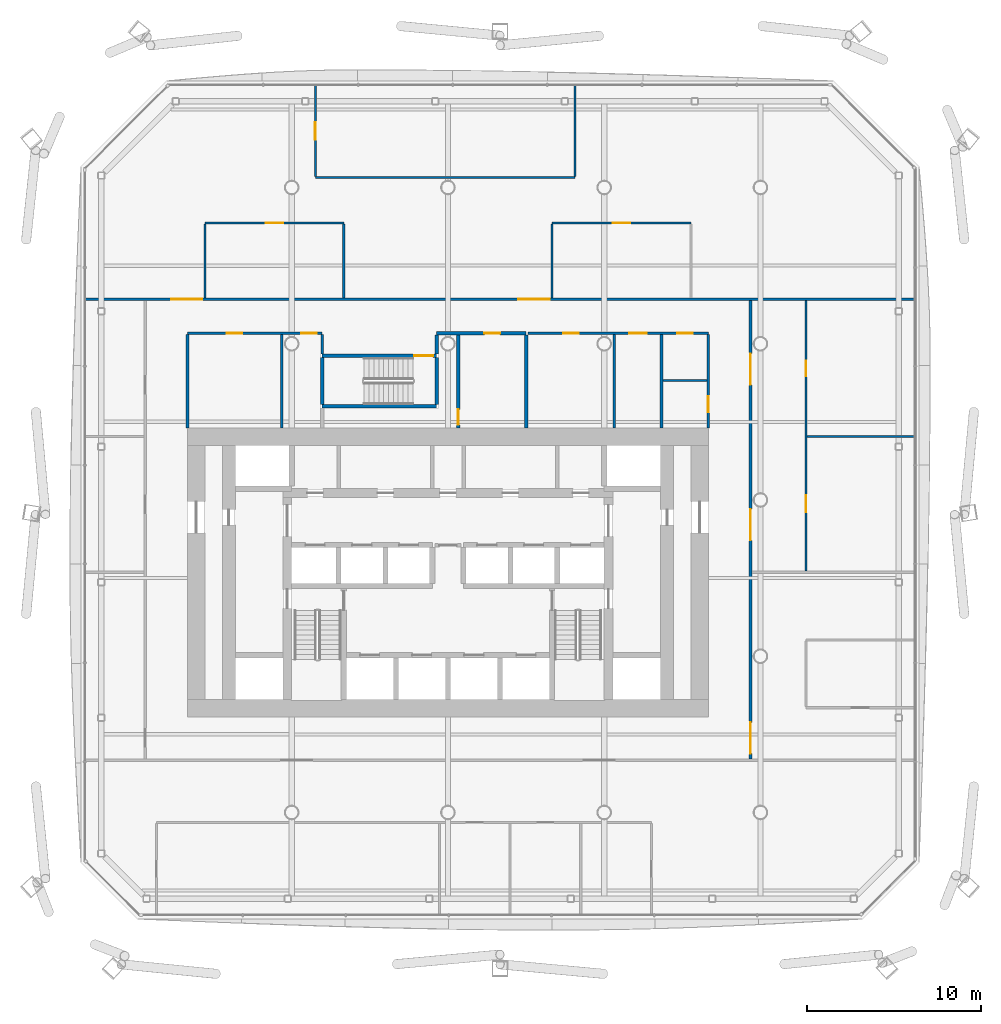
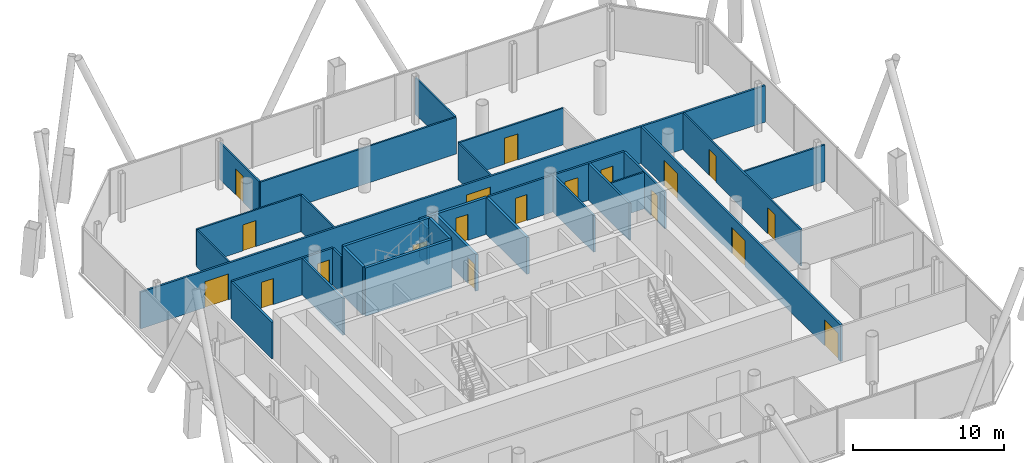
# One storey, part 16 of 22: 29 walls, 19 doors, 19 openings.
"""IFC4 building model written with IfcOpenShell, lengths in metres."""

from ifc_helpers import new_model, si_unit, direction, frame, frame_2d, origin, place, context, subcontext, project, spatial, rectangle, extrude, material, layer, layer_set, type_object, element, fill, save


model = new_model("IFC4")

# Units and contexts
model_context = context("Model", 3, precision=1e-05, world=origin(), true_north=direction((0.0, 1.0)))
body_context = subcontext(model_context, "Body", "Model", "MODEL_VIEW")
ifc_project = project(units=[si_unit("LENGTHUNIT", "METRE"), si_unit("AREAUNIT", "SQUARE_METRE"), si_unit("VOLUMEUNIT", "CUBIC_METRE"), si_unit("PLANEANGLEUNIT", "RADIAN"), si_unit("MASSUNIT", "GRAM", prefix="KILO")], contexts=[model_context])

# Site, building, storey
site_placement = place(None, origin())
site = spatial("IfcSite", under=ifc_project, at=site_placement, CompositionType="ELEMENT")
building_placement = place(site_placement, origin())
building = spatial("IfcBuilding", under=site, at=building_placement, Name="Tskaro Facet Tower", CompositionType="ELEMENT")
storey_placement = place(building_placement, frame((0.0, 0.0, 97.199951171875)))
storey = spatial("IfcBuildingStorey", under=building, at=storey_placement, Name="L23", CompositionType="ELEMENT", Elevation=97.199951171875)

# Walls
ifc_material_1 = material(Name="Gypsum board on steel studs", Category="steel")
ifc_layer_1 = layer(ifc_material_1, 0.125, Name="Gypsum board on steel studs")
ifc_layer_set_1 = layer_set([ifc_layer_1], Name="Gypsum board on steel studs")
wall_type_1 = type_object("IfcWallType", Name="PART", PredefinedType="PARTITIONING", material=ifc_layer_set_1)
wall_1_placement = place(storey_placement, frame((20.6875, 3.64794921875, 0.0), z_axis=(0.0, 0.0, 1.0), x_axis=(1.0, 0.0, 0.0)))
element("IfcWall", 1, at=wall_1_placement, inside=storey, type_object=wall_type_1, Name="Partition W018", PredefinedType="PARTITIONING", context=body_context, shape_type="SweptSolid", body=[
    extrude(rectangle(XDim=6.177490234375, YDim=0.125, at=frame_2d((3.0888671875, 0.0))), origin(), (0.0, 0.0, 1.0), 2.9599609375),
])
wall_2_placement = place(storey_placement, frame((12.375, 6.8779296875, 0.0), z_axis=(0.0, 0.0, 1.0), x_axis=(1.0, 0.0, 0.0)))
element("IfcWall", 2, at=wall_2_placement, inside=storey, type_object=wall_type_1, Name="Partition W020", PredefinedType="PARTITIONING", context=body_context, shape_type="SweptSolid", body=[
    extrude(rectangle(XDim=2.550048828125, YDim=0.125, at=frame_2d((1.27490234375, 0.0))), origin(), (0.0, 0.0, 1.0), 2.9599609375),
])

# Wall, opening, door
wall_3_placement = place(storey_placement, frame((-6.0, 15.955078125, 0.0), z_axis=(0.0, 0.0, 1.0), x_axis=(-1.0, 0.0, 0.0)))
wall_3 = element("IfcWall", 3, at=wall_3_placement, inside=storey, type_object=wall_type_1, Name="Partition W026", PredefinedType="PARTITIONING", context=body_context, shape_type="SweptSolid", body=[
    extrude(rectangle(XDim=8.0, YDim=0.125, at=frame_2d((4.0, 0.0))), origin(), (0.0, 0.0, 1.0), 2.9599609375),
])
opening_1_placement = place(wall_3_placement, frame((3.5, 0.0, 0.0)))
opening_1 = element("IfcOpeningElement", 4, at=opening_1_placement, cuts=wall_3, Name="Opening T7-D41", PredefinedType="OPENING", context=body_context, shape_type="SweptSolid", body=[
    extrude(rectangle(XDim=1.0, YDim=2.10009765625, at=frame_2d((0.5, 1.050048828125))), frame((0.0, 0.072509765625, 0.0), z_axis=(0.0, -1.0, 0.0), x_axis=(1.0, 0.0, 0.0)), (0.0, 0.0, 1.0), 0.14501953125),
])
ifc_material_2 = material(Name="Timber", Category="wood")
door_type_1 = type_object("IfcDoorType", Name="D-ROOM-WIDE", OperationType="NOTDEFINED", PredefinedType="DOOR", material=ifc_material_2)
door_1_placement = place(opening_1_placement, origin())
door_1 = element("IfcDoor", 5, at=door_1_placement, inside=storey, type_object=door_type_1, Name="Door T7-D41", OperationType="SINGLE_SWING_RIGHT", OverallHeight=2.10009765625, OverallWidth=1.0, PredefinedType="DOOR", context=body_context, shape_type="SweptSolid", body=[
    extrude(rectangle(XDim=1.0, YDim=2.10009765625, at=frame_2d((0.5, 1.050048828125))), frame((0.0, 0.02490234375, 0.0), z_axis=(0.0, -1.0, 0.0), x_axis=(1.0, 0.0, 0.0)), (0.0, 0.0, 1.0), 0.050048828125),
])
fill(opening_1, door_1)

wall_4_placement = place(storey_placement, frame((14.0, 15.955078125, 0.0), z_axis=(0.0, 0.0, 1.0), x_axis=(-1.0, 0.0, 0.0)))
wall_4 = element("IfcWall", 6, at=wall_4_placement, inside=storey, type_object=wall_type_1, Name="Partition W027", PredefinedType="PARTITIONING", context=body_context, shape_type="SweptSolid", body=[
    extrude(rectangle(XDim=8.0, YDim=0.125, at=frame_2d((4.0, 0.0))), origin(), (0.0, 0.0, 1.0), 2.9599609375),
])
opening_2_placement = place(wall_4_placement, frame((3.5, 0.0, 0.0)))
opening_2 = element("IfcOpeningElement", 7, at=opening_2_placement, cuts=wall_4, Name="Opening T7-D42", PredefinedType="OPENING", context=body_context, shape_type="SweptSolid", body=[
    extrude(rectangle(XDim=1.0, YDim=2.10009765625, at=frame_2d((0.5, 1.050048828125))), frame((0.0, 0.072509765625, 0.0), z_axis=(0.0, -1.0, 0.0), x_axis=(1.0, 0.0, 0.0)), (0.0, 0.0, 1.0), 0.14501953125),
])
door_2_placement = place(opening_2_placement, origin())
door_2 = element("IfcDoor", 8, at=door_2_placement, inside=storey, type_object=door_type_1, Name="Door T7-D42", OperationType="SINGLE_SWING_RIGHT", OverallHeight=2.10009765625, OverallWidth=1.0, PredefinedType="DOOR", context=body_context, shape_type="SweptSolid", body=[
    extrude(rectangle(XDim=1.0, YDim=2.10009765625, at=frame_2d((0.5, 1.050048828125))), frame((0.0, 0.02490234375, 0.0), z_axis=(0.0, -1.0, 0.0), x_axis=(1.0, 0.0, 0.0)), (0.0, 0.0, 1.0), 0.050048828125),
])
fill(opening_2, door_2)

# Walls
wall_5_placement = place(storey_placement, frame((-7.634033203125, 18.580078125, 0.0), z_axis=(0.0, 0.0, 1.0), x_axis=(1.0, 0.0, 0.0)))
element("IfcWall", 9, at=wall_5_placement, inside=storey, type_object=wall_type_1, Name="Partition W028", PredefinedType="PARTITIONING", context=body_context, shape_type="SweptSolid", body=[
    extrude(rectangle(XDim=14.9521484375, YDim=0.125, at=frame_2d((7.47607421875, 0.0))), origin(), (0.0, 0.0, 1.0), 2.9599609375),
])
wall_6_placement = place(storey_placement, frame((-14.0, 11.6298828125, 0.0), z_axis=(0.0, 0.0, 1.0), x_axis=(0.0, 1.0, 0.0)))
element("IfcWall", 10, at=wall_6_placement, inside=storey, type_object=wall_type_1, Name="Partition W032", PredefinedType="PARTITIONING", context=body_context, shape_type="SweptSolid", body=[
    extrude(rectangle(XDim=4.2626953125, YDim=0.125, at=frame_2d((2.13134765625, 0.0))), origin(), (0.0, 0.0, 1.0), 2.9599609375),
])

# Wall, opening, door
wall_7_placement = place(storey_placement, frame((-7.634033203125, 23.864990234375, 0.0), z_axis=(0.0, 0.0, 1.0), x_axis=(0.0, -1.0, 0.0)))
wall_7 = element("IfcWall", 11, at=wall_7_placement, inside=storey, type_object=wall_type_1, Name="Partition W035", PredefinedType="PARTITIONING", context=body_context, shape_type="SweptSolid", body=[
    extrude(rectangle(XDim=5.222412109375, YDim=0.125, at=frame_2d((2.611328125, 0.0))), origin(), (0.0, 0.0, 1.0), 2.9599609375),
])
opening_3_placement = place(wall_7_placement, frame((2.111328125, 0.0, 0.0)))
opening_3 = element("IfcOpeningElement", 12, at=opening_3_placement, cuts=wall_7, Name="Opening T7-D43", PredefinedType="OPENING", context=body_context, shape_type="SweptSolid", body=[
    extrude(rectangle(XDim=1.0, YDim=2.10009765625, at=frame_2d((0.5, 1.050048828125))), frame((0.0, 0.072509765625, 0.0), z_axis=(0.0, -1.0, 0.0), x_axis=(1.0, 0.0, 0.0)), (0.0, 0.0, 1.0), 0.14501953125),
])
door_3_placement = place(opening_3_placement, origin())
door_3 = element("IfcDoor", 13, at=door_3_placement, inside=storey, type_object=door_type_1, Name="Door T7-D43", OperationType="SINGLE_SWING_RIGHT", OverallHeight=2.10009765625, OverallWidth=1.0, PredefinedType="DOOR", context=body_context, shape_type="SweptSolid", body=[
    extrude(rectangle(XDim=1.0, YDim=2.10009765625, at=frame_2d((0.5, 1.050048828125))), frame((0.0, 0.02490234375, 0.0), z_axis=(0.0, -1.0, 0.0), x_axis=(1.0, 0.0, 0.0)), (0.0, 0.0, 1.0), 0.050048828125),
])
fill(opening_3, door_3)

# Walls
for number, where, z_axis, x_axis, name in (
    (14, (-6.0, 11.6298828125, 0.0), (0.0, 0.0, 1.0), (0.0, 1.0, 0.0), "Partition W042"),
    (15, (6.0, 11.6298828125, 0.0), (0.0, 0.0, 1.0), (0.0, 1.0, 0.0), "Partition W059"),
):
    element("IfcWall", number, at=place(storey_placement, frame(where, z_axis=z_axis, x_axis=x_axis)), inside=storey, type_object=wall_type_1, Name=name, PredefinedType="PARTITIONING", context=body_context, shape_type="SweptSolid", body=[
        extrude(rectangle(XDim=4.2626953125, YDim=0.125, at=frame_2d((2.13134765625, 0.0))), origin(), (0.0, 0.0, 1.0), 2.9599609375),
    ])
wall_8_placement = place(storey_placement, frame((7.318115234375, 18.642578125, 0.0), z_axis=(0.0, 0.0, 1.0), x_axis=(0.0, 1.0, 0.0)))
element("IfcWall", 16, at=wall_8_placement, inside=storey, type_object=wall_type_1, Name="Partition W062", PredefinedType="PARTITIONING", context=body_context, shape_type="SweptSolid", body=[
    extrude(rectangle(XDim=5.222412109375, YDim=0.125, at=frame_2d((2.611328125, 0.0))), origin(), (0.0, 0.0, 1.0), 2.9599609375),
])

# Wall, openings, doors
wall_9_placement = place(storey_placement, frame((20.625, 11.47998046875, 0.0), z_axis=(0.0, 0.0, 1.0), x_axis=(0.0, -1.0, 0.0)))
wall_9 = element("IfcWall", 17, at=wall_9_placement, inside=storey, type_object=wall_type_1, Name="Partition W072", PredefinedType="PARTITIONING", context=body_context, shape_type="SweptSolid", body=[
    extrude(rectangle(XDim=15.56689453125, YDim=0.125, at=frame_2d((7.783447265625, 0.0))), origin(), (0.0, 0.0, 1.0), 2.9599609375),
])
opening_4_placement = place(wall_9_placement, frame((11.199462890625, 0.0, 0.0)))
opening_4 = element("IfcOpeningElement", 18, at=opening_4_placement, cuts=wall_9, Name="Opening T7-D20", PredefinedType="OPENING", context=body_context, shape_type="SweptSolid", body=[
    extrude(rectangle(XDim=1.0, YDim=2.10009765625, at=frame_2d((0.5, 1.050048828125))), frame((0.0, 0.072509765625, 0.0), z_axis=(0.0, -1.0, 0.0), x_axis=(1.0, 0.0, 0.0)), (0.0, 0.0, 1.0), 0.14501953125),
])
opening_5_placement = place(wall_9_placement, frame((3.466064453125, 0.0, 0.0)))
opening_5 = element("IfcOpeningElement", 19, at=opening_5_placement, cuts=wall_9, Name="Opening T7-D32", PredefinedType="OPENING", context=body_context, shape_type="SweptSolid", body=[
    extrude(rectangle(XDim=0.89990234375, YDim=2.10009765625, at=frame_2d((0.449951171875, 1.050048828125))), frame((0.0, 0.072509765625, 0.0), z_axis=(0.0, -1.0, 0.0), x_axis=(1.0, 0.0, 0.0)), (0.0, 0.0, 1.0), 0.14501953125),
])
door_type_2 = type_object("IfcDoorType", Name="D-ROOM", OperationType="NOTDEFINED", PredefinedType="DOOR", material=ifc_material_2)
door_4_placement = place(opening_5_placement, origin())
door_4 = element("IfcDoor", 20, at=door_4_placement, inside=storey, type_object=door_type_2, Name="Door T7-D32", OperationType="SINGLE_SWING_RIGHT", OverallHeight=2.10009765625, OverallWidth=0.89990234375, PredefinedType="DOOR", context=body_context, shape_type="SweptSolid", body=[
    extrude(rectangle(XDim=0.89990234375, YDim=2.10009765625, at=frame_2d((0.449951171875, 1.050048828125))), frame((0.0, 0.02490234375, 0.0), z_axis=(0.0, -1.0, 0.0), x_axis=(1.0, 0.0, 0.0)), (0.0, 0.0, 1.0), 0.050048828125),
])
fill(opening_5, door_4)
door_5_placement = place(opening_4_placement, origin())
door_5 = element("IfcDoor", 21, at=door_5_placement, inside=storey, type_object=door_type_1, Name="Door T7-D20", OperationType="SINGLE_SWING_RIGHT", OverallHeight=2.10009765625, OverallWidth=1.0, PredefinedType="DOOR", context=body_context, shape_type="SweptSolid", body=[
    extrude(rectangle(XDim=1.0, YDim=2.10009765625, at=frame_2d((0.5, 1.050048828125))), frame((0.0, 0.02490234375, 0.0), z_axis=(0.0, -1.0, 0.0), x_axis=(1.0, 0.0, 0.0)), (0.0, 0.0, 1.0), 0.050048828125),
])
fill(opening_4, door_5)

ifc_layer_2 = layer(ifc_material_1, 0.14990234375, Name="Gypsum board on steel studs")
ifc_layer_set_2 = layer_set([ifc_layer_2], Name="Gypsum board on steel studs")
wall_type_2 = type_object("IfcWallType", Name="PART-CORR", PredefinedType="PARTITIONING", material=ifc_layer_set_2)
wall_10_placement = place(storey_placement, frame((-7.25, 9.60498046875, 0.0), z_axis=(0.0, 0.0, 1.0), x_axis=(-1.0, 0.0, 0.0)))
wall_10 = element("IfcWall", 22, at=wall_10_placement, inside=storey, type_object=wall_type_2, Name="Corridor wall W022", PredefinedType="PARTITIONING", context=body_context, shape_type="SweptSolid", body=[
    extrude(rectangle(XDim=7.75, YDim=0.14990234375, at=frame_2d((3.875, 0.0))), origin(), (0.0, 0.0, 1.0), 2.9599609375),
])
opening_6_placement = place(wall_10_placement, frame((0.3125, 0.0, 0.0)))
opening_6 = element("IfcOpeningElement", 23, at=opening_6_placement, cuts=wall_10, Name="Opening T7-D34", PredefinedType="OPENING", context=body_context, shape_type="SweptSolid", body=[
    extrude(rectangle(XDim=0.89990234375, YDim=2.10009765625, at=frame_2d((0.449951171875, 1.050048828125))), frame((0.0, 0.0849609375, 0.0), z_axis=(0.0, -1.0, 0.0), x_axis=(1.0, 0.0, 0.0)), (0.0, 0.0, 1.0), 0.169921875),
])
opening_7_placement = place(wall_10_placement, frame((4.58740234375, 0.0, 0.0)))
opening_7 = element("IfcOpeningElement", 24, at=opening_7_placement, cuts=wall_10, Name="Opening T7-D33", PredefinedType="OPENING", context=body_context, shape_type="SweptSolid", body=[
    extrude(rectangle(XDim=0.89990234375, YDim=2.10009765625, at=frame_2d((0.449951171875, 1.050048828125))), frame((0.0, 0.0849609375, 0.0), z_axis=(0.0, -1.0, 0.0), x_axis=(1.0, 0.0, 0.0)), (0.0, 0.0, 1.0), 0.169921875),
])
ifc_material_3 = material(Name="Steel", Category="steel")
door_type_3 = type_object("IfcDoorType", Name="D-RISER", OperationType="NOTDEFINED", PredefinedType="DOOR", material=ifc_material_3)
door_6_placement = place(opening_6_placement, origin())
door_6 = element("IfcDoor", 25, at=door_6_placement, inside=storey, type_object=door_type_3, Name="Door T7-D34", OperationType="SINGLE_SWING_RIGHT", OverallHeight=2.10009765625, OverallWidth=0.89990234375, PredefinedType="DOOR", context=body_context, shape_type="SweptSolid", body=[
    extrude(rectangle(XDim=0.89990234375, YDim=2.10009765625, at=frame_2d((0.449951171875, 1.050048828125))), frame((0.0, 0.02490234375, 0.0), z_axis=(0.0, -1.0, 0.0), x_axis=(1.0, 0.0, 0.0)), (0.0, 0.0, 1.0), 0.050048828125),
])
fill(opening_6, door_6)
door_7_placement = place(opening_7_placement, origin())
door_7 = element("IfcDoor", 26, at=door_7_placement, inside=storey, type_object=door_type_2, Name="Door T7-D33", OperationType="SINGLE_SWING_RIGHT", OverallHeight=2.10009765625, OverallWidth=0.89990234375, PredefinedType="DOOR", context=body_context, shape_type="SweptSolid", body=[
    extrude(rectangle(XDim=0.89990234375, YDim=2.10009765625, at=frame_2d((0.449951171875, 1.050048828125))), frame((0.0, 0.02490234375, 0.0), z_axis=(0.0, -1.0, 0.0), x_axis=(1.0, 0.0, 0.0)), (0.0, 0.0, 1.0), 0.050048828125),
])
fill(opening_7, door_7)

wall_11_placement = place(storey_placement, frame((15.0, 9.60498046875, 0.0), z_axis=(0.0, 0.0, 1.0), x_axis=(-1.0, 0.0, 0.0)))
wall_11 = element("IfcWall", 27, at=wall_11_placement, inside=storey, type_object=wall_type_2, Name="Corridor wall W024", PredefinedType="PARTITIONING", context=body_context, shape_type="SweptSolid", body=[
    extrude(rectangle(XDim=10.39990234375, YDim=0.14990234375, at=frame_2d((5.199951171875, 0.0))), origin(), (0.0, 0.0, 1.0), 2.9599609375),
])
opening_8_placement = place(wall_11_placement, frame((0.89990234375, 0.0, 0.0)))
opening_8 = element("IfcOpeningElement", 28, at=opening_8_placement, cuts=wall_11, Name="Opening T7-D38", PredefinedType="OPENING", context=body_context, shape_type="SweptSolid", body=[
    extrude(rectangle(XDim=0.89990234375, YDim=2.10009765625, at=frame_2d((0.449951171875, 1.050048828125))), frame((0.0, 0.0849609375, 0.0), z_axis=(0.0, -1.0, 0.0), x_axis=(1.0, 0.0, 0.0)), (0.0, 0.0, 1.0), 0.169921875),
])
opening_9_placement = place(wall_11_placement, frame((7.46240234375, 0.0, 0.0)))
opening_9 = element("IfcOpeningElement", 29, at=opening_9_placement, cuts=wall_11, Name="Opening T7-D36", PredefinedType="OPENING", context=body_context, shape_type="SweptSolid", body=[
    extrude(rectangle(XDim=0.89990234375, YDim=2.10009765625, at=frame_2d((0.449951171875, 1.050048828125))), frame((0.0, 0.0849609375, 0.0), z_axis=(0.0, -1.0, 0.0), x_axis=(1.0, 0.0, 0.0)), (0.0, 0.0, 1.0), 0.169921875),
])
opening_10_placement = place(wall_11_placement, frame((3.5625, 0.0, 0.0)))
opening_10 = element("IfcOpeningElement", 30, at=opening_10_placement, cuts=wall_11, Name="Opening T7-D37", PredefinedType="OPENING", context=body_context, shape_type="SweptSolid", body=[
    extrude(rectangle(XDim=1.0, YDim=2.10009765625, at=frame_2d((0.5, 1.050048828125))), frame((0.0, 0.0849609375, 0.0), z_axis=(0.0, -1.0, 0.0), x_axis=(1.0, 0.0, 0.0)), (0.0, 0.0, 1.0), 0.169921875),
])
door_8_placement = place(opening_8_placement, origin())
door_8 = element("IfcDoor", 31, at=door_8_placement, inside=storey, type_object=door_type_2, Name="Door T7-D38", OperationType="SINGLE_SWING_RIGHT", OverallHeight=2.10009765625, OverallWidth=0.89990234375, PredefinedType="DOOR", context=body_context, shape_type="SweptSolid", body=[
    extrude(rectangle(XDim=0.89990234375, YDim=2.10009765625, at=frame_2d((0.449951171875, 1.050048828125))), frame((0.0, 0.02490234375, 0.0), z_axis=(0.0, -1.0, 0.0), x_axis=(1.0, 0.0, 0.0)), (0.0, 0.0, 1.0), 0.050048828125),
])
fill(opening_8, door_8)
door_9_placement = place(opening_9_placement, origin())
door_9 = element("IfcDoor", 32, at=door_9_placement, inside=storey, type_object=door_type_2, Name="Door T7-D36", OperationType="SINGLE_SWING_RIGHT", OverallHeight=2.10009765625, OverallWidth=0.89990234375, PredefinedType="DOOR", context=body_context, shape_type="SweptSolid", body=[
    extrude(rectangle(XDim=0.89990234375, YDim=2.10009765625, at=frame_2d((0.449951171875, 1.050048828125))), frame((0.0, 0.02490234375, 0.0), z_axis=(0.0, -1.0, 0.0), x_axis=(1.0, 0.0, 0.0)), (0.0, 0.0, 1.0), 0.050048828125),
])
fill(opening_9, door_9)
door_10_placement = place(opening_10_placement, origin())
door_10 = element("IfcDoor", 33, at=door_10_placement, inside=storey, type_object=door_type_1, Name="Door T7-D37", OperationType="SINGLE_SWING_RIGHT", OverallHeight=2.10009765625, OverallWidth=1.0, PredefinedType="DOOR", context=body_context, shape_type="SweptSolid", body=[
    extrude(rectangle(XDim=1.0, YDim=2.10009765625, at=frame_2d((0.5, 1.050048828125))), frame((0.0, 0.02490234375, 0.0), z_axis=(0.0, -1.0, 0.0), x_axis=(1.0, 0.0, 0.0)), (0.0, 0.0, 1.0), 0.050048828125),
])
fill(opening_10, door_10)

wall_12_placement = place(storey_placement, frame((26.864990234375, 11.554931640625, 0.0), z_axis=(0.0, 0.0, 1.0), x_axis=(-1.0, 0.0, 0.0)))
wall_12 = element("IfcWall", 34, at=wall_12_placement, inside=storey, type_object=wall_type_2, Name="Corridor wall W025", PredefinedType="PARTITIONING", context=body_context, shape_type="SweptSolid", body=[
    extrude(rectangle(XDim=47.72998046875, YDim=0.14990234375, at=frame_2d((23.864990234375, 0.0))), origin(), (0.0, 0.0, 1.0), 2.9599609375),
])
opening_11_placement = place(wall_12_placement, frame((41.014892578125, 0.0, 0.0)))
opening_11 = element("IfcOpeningElement", 35, at=opening_11_placement, cuts=wall_12, Name="Opening T7-D39", PredefinedType="OPENING", context=body_context, shape_type="SweptSolid", body=[
    extrude(rectangle(XDim=1.800048828125, YDim=2.10009765625, at=frame_2d((0.89990234375, 1.050048828125))), frame((0.0, 0.0849609375, 0.0), z_axis=(0.0, -1.0, 0.0), x_axis=(1.0, 0.0, 0.0)), (0.0, 0.0, 1.0), 0.169921875),
])
opening_12_placement = place(wall_12_placement, frame((21.014892578125, 0.0, 0.0)))
opening_12 = element("IfcOpeningElement", 36, at=opening_12_placement, cuts=wall_12, Name="Opening T7-D40", PredefinedType="OPENING", context=body_context, shape_type="SweptSolid", body=[
    extrude(rectangle(XDim=1.800048828125, YDim=2.10009765625, at=frame_2d((0.89990234375, 1.050048828125))), frame((0.0, 0.0849609375, 0.0), z_axis=(0.0, -1.0, 0.0), x_axis=(1.0, 0.0, 0.0)), (0.0, 0.0, 1.0), 0.169921875),
])
ifc_material_4 = material(Name="Glass", Category="glass")
door_type_4 = type_object("IfcDoorType", Name="D-ENTRY-PAIR", OperationType="NOTDEFINED", PredefinedType="DOOR", material=ifc_material_4)
door_11_placement = place(opening_11_placement, origin())
door_11 = element("IfcDoor", 37, at=door_11_placement, inside=storey, type_object=door_type_4, Name="Door T7-D39", OperationType="DOUBLE_DOOR_SINGLE_SWING", OverallHeight=2.10009765625, OverallWidth=1.800048828125, PredefinedType="DOOR", context=body_context, shape_type="SweptSolid", body=[
    extrude(rectangle(XDim=1.800048828125, YDim=2.10009765625, at=frame_2d((0.89990234375, 1.050048828125))), frame((0.0, 0.02490234375, 0.0), z_axis=(0.0, -1.0, 0.0), x_axis=(1.0, 0.0, 0.0)), (0.0, 0.0, 1.0), 0.050048828125),
])
fill(opening_11, door_11)
door_12_placement = place(opening_12_placement, origin())
door_12 = element("IfcDoor", 38, at=door_12_placement, inside=storey, type_object=door_type_4, Name="Door T7-D40", OperationType="DOUBLE_DOOR_SINGLE_SWING", OverallHeight=2.10009765625, OverallWidth=1.800048828125, PredefinedType="DOOR", context=body_context, shape_type="SweptSolid", body=[
    extrude(rectangle(XDim=1.800048828125, YDim=2.10009765625, at=frame_2d((0.89990234375, 1.050048828125))), frame((0.0, 0.02490234375, 0.0), z_axis=(0.0, -1.0, 0.0), x_axis=(1.0, 0.0, 0.0)), (0.0, 0.0, 1.0), 0.050048828125),
])
fill(opening_12, door_12)

# Walls
for number, where, z_axis, x_axis, name in (
    (39, (-15.0, 4.14990234375, 0.0), (0.0, 0.0, 1.0), (0.0, 1.0, 0.0), "Corridor wall W031"),
    (40, (-9.574951171875, 4.14990234375, 0.0), (0.0, 0.0, 1.0), (0.0, 1.0, 0.0), "Corridor wall W033"),
):
    element("IfcWall", number, at=place(storey_placement, frame(where, z_axis=z_axis, x_axis=x_axis)), inside=storey, type_object=wall_type_2, Name=name, PredefinedType="PARTITIONING", context=body_context, shape_type="SweptSolid", body=[
        extrude(rectangle(XDim=5.380126953125, YDim=0.14990234375, at=frame_2d((2.68994140625, 0.0))), origin(), (0.0, 0.0, 1.0), 2.9599609375),
    ])
wall_13_placement = place(storey_placement, frame((-7.25, 8.39990234375, 0.0), z_axis=(0.0, 0.0, 1.0), x_axis=(0.0, 1.0, 0.0)))
element("IfcWall", 41, at=wall_13_placement, inside=storey, type_object=wall_type_2, Name="Corridor wall W038", PredefinedType="PARTITIONING", context=body_context, shape_type="SweptSolid", body=[
    extrude(rectangle(XDim=1.130126953125, YDim=0.14990234375, at=frame_2d((0.56494140625, 0.0))), origin(), (0.0, 0.0, 1.0), 2.9599609375),
])
for number, where, z_axis, x_axis, name in (
    (42, (9.574951171875, 4.14990234375, 0.0), (0.0, 0.0, 1.0), (0.0, 1.0, 0.0), "Corridor wall W065"),
    (43, (12.300048828125, 4.14990234375, 0.0), (0.0, 0.0, 1.0), (0.0, 1.0, 0.0), "Corridor wall W067"),
):
    element("IfcWall", number, at=place(storey_placement, frame(where, z_axis=z_axis, x_axis=x_axis)), inside=storey, type_object=wall_type_2, Name=name, PredefinedType="PARTITIONING", context=body_context, shape_type="SweptSolid", body=[
        extrude(rectangle(XDim=5.380126953125, YDim=0.14990234375, at=frame_2d((2.68994140625, 0.0))), origin(), (0.0, 0.0, 1.0), 2.9599609375),
    ])

# Wall, opening, door
wall_14_placement = place(storey_placement, frame((15.0, 4.14990234375, 0.0), z_axis=(0.0, 0.0, 1.0), x_axis=(0.0, 1.0, 0.0)))
wall_14 = element("IfcWall", 44, at=wall_14_placement, inside=storey, type_object=wall_type_2, Name="Corridor wall W069", PredefinedType="PARTITIONING", context=body_context, shape_type="SweptSolid", body=[
    extrude(rectangle(XDim=5.380126953125, YDim=0.14990234375, at=frame_2d((2.68994140625, 0.0))), origin(), (0.0, 0.0, 1.0), 2.9599609375),
])
opening_13_placement = place(wall_14_placement, frame((0.9140625, 0.0, 0.0)))
opening_13 = element("IfcOpeningElement", 45, at=opening_13_placement, cuts=wall_14, Name="Opening T7-D29", PredefinedType="OPENING", context=body_context, shape_type="SweptSolid", body=[
    extrude(rectangle(XDim=0.89990234375, YDim=2.10009765625, at=frame_2d((0.449951171875, 1.050048828125))), frame((0.0, 0.0849609375, 0.0), z_axis=(0.0, -1.0, 0.0), x_axis=(1.0, 0.0, 0.0)), (0.0, 0.0, 1.0), 0.169921875),
])
door_13_placement = place(opening_13_placement, origin())
door_13 = element("IfcDoor", 46, at=door_13_placement, inside=storey, type_object=door_type_2, Name="Door T7-D29", OperationType="SINGLE_SWING_LEFT", OverallHeight=2.10009765625, OverallWidth=0.89990234375, PredefinedType="DOOR", context=body_context, shape_type="SweptSolid", body=[
    extrude(rectangle(XDim=0.89990234375, YDim=2.10009765625, at=frame_2d((0.449951171875, 1.050048828125))), frame((0.0, 0.02490234375, 0.0), z_axis=(0.0, -1.0, 0.0), x_axis=(1.0, 0.0, 0.0)), (0.0, 0.0, 1.0), 0.050048828125),
])
fill(opening_13, door_13)

# Wall, openings, doors
wall_15_placement = place(storey_placement, frame((17.425048828125, -14.925048828125, 0.0), z_axis=(0.0, 0.0, 1.0), x_axis=(0.0, 1.0, 0.0)))
wall_15 = element("IfcWall", 47, at=wall_15_placement, inside=storey, type_object=wall_type_2, Name="Corridor wall W070", PredefinedType="PARTITIONING", context=body_context, shape_type="SweptSolid", body=[
    extrude(rectangle(XDim=26.405029296875, YDim=0.14990234375, at=frame_2d((13.20263671875, 0.0))), origin(), (0.0, 0.0, 1.0), 2.9599609375),
])
opening_14_placement = place(wall_15_placement, frame((0.3125, 0.0, 0.0)))
opening_14 = element("IfcOpeningElement", 48, at=opening_14_placement, cuts=wall_15, Name="Opening T7-D08", PredefinedType="OPENING", context=body_context, shape_type="SweptSolid", body=[
    extrude(rectangle(XDim=1.800048828125, YDim=2.10009765625, at=frame_2d((0.89990234375, 1.050048828125))), frame((0.0, 0.0849609375, 0.0), z_axis=(0.0, -1.0, 0.0), x_axis=(1.0, 0.0, 0.0)), (0.0, 0.0, 1.0), 0.169921875),
])
opening_15_placement = place(wall_15_placement, frame((12.592041015625, 0.0, 0.0)))
opening_15 = element("IfcOpeningElement", 49, at=opening_15_placement, cuts=wall_15, Name="Opening T7-D12", PredefinedType="OPENING", context=body_context, shape_type="SweptSolid", body=[
    extrude(rectangle(XDim=1.800048828125, YDim=2.10009765625, at=frame_2d((0.89990234375, 1.050048828125))), frame((0.0, 0.0849609375, 0.0), z_axis=(0.0, -1.0, 0.0), x_axis=(1.0, 0.0, 0.0)), (0.0, 0.0, 1.0), 0.169921875),
])
opening_16_placement = place(wall_15_placement, frame((21.551025390625, 0.0, 0.0)))
opening_16 = element("IfcOpeningElement", 50, at=opening_16_placement, cuts=wall_15, Name="Opening T7-D31", PredefinedType="OPENING", context=body_context, shape_type="SweptSolid", body=[
    extrude(rectangle(XDim=1.800048828125, YDim=2.10009765625, at=frame_2d((0.89990234375, 1.050048828125))), frame((0.0, 0.0849609375, 0.0), z_axis=(0.0, -1.0, 0.0), x_axis=(1.0, 0.0, 0.0)), (0.0, 0.0, 1.0), 0.169921875),
])
door_14_placement = place(opening_14_placement, origin())
door_14 = element("IfcDoor", 51, at=door_14_placement, inside=storey, type_object=door_type_4, Name="Door T7-D08", OperationType="DOUBLE_DOOR_SINGLE_SWING", OverallHeight=2.10009765625, OverallWidth=1.800048828125, PredefinedType="DOOR", context=body_context, shape_type="SweptSolid", body=[
    extrude(rectangle(XDim=1.800048828125, YDim=2.10009765625, at=frame_2d((0.89990234375, 1.050048828125))), frame((0.0, 0.02490234375, 0.0), z_axis=(0.0, -1.0, 0.0), x_axis=(1.0, 0.0, 0.0)), (0.0, 0.0, 1.0), 0.050048828125),
])
fill(opening_14, door_14)
door_15_placement = place(opening_15_placement, origin())
door_15 = element("IfcDoor", 52, at=door_15_placement, inside=storey, type_object=door_type_4, Name="Door T7-D12", OperationType="DOUBLE_DOOR_SINGLE_SWING", OverallHeight=2.10009765625, OverallWidth=1.800048828125, PredefinedType="DOOR", context=body_context, shape_type="SweptSolid", body=[
    extrude(rectangle(XDim=1.800048828125, YDim=2.10009765625, at=frame_2d((0.89990234375, 1.050048828125))), frame((0.0, 0.02490234375, 0.0), z_axis=(0.0, -1.0, 0.0), x_axis=(1.0, 0.0, 0.0)), (0.0, 0.0, 1.0), 0.050048828125),
])
fill(opening_15, door_15)
door_16_placement = place(opening_16_placement, origin())
door_16 = element("IfcDoor", 53, at=door_16_placement, inside=storey, type_object=door_type_4, Name="Door T7-D31", OperationType="DOUBLE_DOOR_SINGLE_SWING", OverallHeight=2.10009765625, OverallWidth=1.800048828125, PredefinedType="DOOR", context=body_context, shape_type="SweptSolid", body=[
    extrude(rectangle(XDim=1.800048828125, YDim=2.10009765625, at=frame_2d((0.89990234375, 1.050048828125))), frame((0.0, 0.02490234375, 0.0), z_axis=(0.0, -1.0, 0.0), x_axis=(1.0, 0.0, 0.0)), (0.0, 0.0, 1.0), 0.050048828125),
])
fill(opening_16, door_16)

# Wall
ifc_material_5 = material(Name="Concrete C60/75", Category="concrete")
ifc_layer_3 = layer(ifc_material_5, 0.199951171875, Name="Concrete C60/75")
ifc_layer_set_3 = layer_set([ifc_layer_3], Name="Concrete C60/75")
wall_type_3 = type_object("IfcWallType", Name="STAIR-WALL", PredefinedType="SHEAR", material=ifc_layer_set_3)
wall_16_placement = place(storey_placement, frame((-7.25, 5.39990234375, 0.0), z_axis=(0.0, 0.0, 1.0), x_axis=(1.0, 0.0, 0.0)))
element("IfcWall", 54, at=wall_16_placement, inside=storey, type_object=wall_type_3, Name="Stair wall W019", PredefinedType="SHEAR", context=body_context, shape_type="SweptSolid", body=[
    extrude(rectangle(XDim=6.60009765625, YDim=0.199951171875, at=frame_2d((3.300048828125, 0.0))), origin(), (0.0, 0.0, 1.0), 3.900146484375),
])

# Wall, opening, door
wall_17_placement = place(storey_placement, frame((-0.64990234375, 8.300048828125, 0.0), z_axis=(0.0, 0.0, 1.0), x_axis=(-1.0, 0.0, 0.0)))
wall_17 = element("IfcWall", 55, at=wall_17_placement, inside=storey, type_object=wall_type_3, Name="Stair wall W021", PredefinedType="SHEAR", context=body_context, shape_type="SweptSolid", body=[
    extrude(rectangle(XDim=6.60009765625, YDim=0.199951171875, at=frame_2d((3.300048828125, 0.0))), origin(), (0.0, 0.0, 1.0), 3.900146484375),
])
opening_17_placement = place(wall_17_placement, frame((0.199951171875, 0.0, 0.0)))
opening_17 = element("IfcOpeningElement", 56, at=opening_17_placement, cuts=wall_17, Name="Opening ST-3-D1", PredefinedType="OPENING", context=body_context, shape_type="SweptSolid", body=[
    extrude(rectangle(XDim=1.10009765625, YDim=2.10009765625, at=frame_2d((0.550048828125, 1.050048828125))), frame((0.0, 0.10986328125, 0.0), z_axis=(0.0, -1.0, 0.0), x_axis=(1.0, 0.0, 0.0)), (0.0, 0.0, 1.0), 0.219970703125),
])
door_type_5 = type_object("IfcDoorType", Name="D-STAIR", OperationType="NOTDEFINED", PredefinedType="DOOR", material=ifc_material_3)
door_17_placement = place(opening_17_placement, origin())
door_17 = element("IfcDoor", 57, at=door_17_placement, inside=storey, type_object=door_type_5, Name="Stair door 3", OperationType="SINGLE_SWING_RIGHT", OverallHeight=2.10009765625, OverallWidth=1.10009765625, PredefinedType="DOOR", context=body_context, shape_type="SweptSolid", body=[
    extrude(rectangle(XDim=1.10009765625, YDim=2.10009765625, at=frame_2d((0.550048828125, 1.050048828125))), frame((0.0, 0.02490234375, 0.0), z_axis=(0.0, -1.0, 0.0), x_axis=(1.0, 0.0, 0.0)), (0.0, 0.0, 1.0), 0.050048828125),
])
fill(opening_17, door_17)

# Walls
for number, where, z_axis, x_axis, name in (
    (58, (-7.25, 5.5, 0.0), (0.0, 0.0, 1.0), (0.0, 1.0, 0.0), "Stair wall W037"),
    (59, (-0.64990234375, 5.5, 0.0), (0.0, 0.0, 1.0), (0.0, 1.0, 0.0), "Stair wall W047"),
):
    element("IfcWall", number, at=place(storey_placement, frame(where, z_axis=z_axis, x_axis=x_axis)), inside=storey, type_object=wall_type_3, Name=name, PredefinedType="SHEAR", context=body_context, shape_type="SweptSolid", body=[
        extrude(rectangle(XDim=2.699951171875, YDim=0.199951171875, at=frame_2d((1.35009765625, 0.0))), origin(), (0.0, 0.0, 1.0), 3.900146484375),
    ])

# Wall, opening, door
ifc_material_6 = material(Name="Concrete C20/25", Category="concrete")
ifc_layer_4 = layer(ifc_material_6, 0.199951171875, Name="Concrete C20/25")
ifc_layer_set_4 = layer_set([ifc_layer_4], Name="Concrete C20/25")
wall_type_4 = type_object("IfcWallType", Name="WALL-RISER", PredefinedType="SOLIDWALL", material=ifc_layer_set_4)
wall_18_placement = place(storey_placement, frame((4.5, 9.60498046875, 0.0), z_axis=(0.0, 0.0, 1.0), x_axis=(-1.0, 0.0, 0.0)))
wall_18 = element("IfcWall", 60, at=wall_18_placement, inside=storey, type_object=wall_type_4, Name="Riser room wall W023", PredefinedType="SOLIDWALL", context=body_context, shape_type="SweptSolid", body=[
    extrude(rectangle(XDim=5.14990234375, YDim=0.199951171875, at=frame_2d((2.574951171875, 0.0))), origin(), (0.0, 0.0, 1.0), 2.9599609375),
])
opening_18_placement = place(wall_18_placement, frame((1.5, 0.0, 0.0)))
opening_18 = element("IfcOpeningElement", 61, at=opening_18_placement, cuts=wall_18, Name="Opening T7-D35", PredefinedType="OPENING", context=body_context, shape_type="SweptSolid", body=[
    extrude(rectangle(XDim=0.89990234375, YDim=2.10009765625, at=frame_2d((0.449951171875, 1.050048828125))), frame((0.0, 0.10986328125, 0.0), z_axis=(0.0, -1.0, 0.0), x_axis=(1.0, 0.0, 0.0)), (0.0, 0.0, 1.0), 0.219970703125),
])
door_18_placement = place(opening_18_placement, origin())
door_18 = element("IfcDoor", 62, at=door_18_placement, inside=storey, type_object=door_type_3, Name="Door T7-D35", OperationType="SINGLE_SWING_RIGHT", OverallHeight=2.10009765625, OverallWidth=0.89990234375, PredefinedType="DOOR", context=body_context, shape_type="SweptSolid", body=[
    extrude(rectangle(XDim=0.89990234375, YDim=2.10009765625, at=frame_2d((0.449951171875, 1.050048828125))), frame((0.0, 0.02490234375, 0.0), z_axis=(0.0, -1.0, 0.0), x_axis=(1.0, 0.0, 0.0)), (0.0, 0.0, 1.0), 0.050048828125),
])
fill(opening_18, door_18)

# Wall
wall_19_placement = place(storey_placement, frame((-0.64990234375, 8.39990234375, 0.0), z_axis=(0.0, 0.0, 1.0), x_axis=(0.0, 1.0, 0.0)))
element("IfcWall", 63, at=wall_19_placement, inside=storey, type_object=wall_type_4, Name="Riser room wall W048", PredefinedType="SOLIDWALL", context=body_context, shape_type="SweptSolid", body=[
    extrude(rectangle(XDim=1.10498046875, YDim=0.199951171875, at=frame_2d((0.552490234375, 0.0))), origin(), (0.0, 0.0, 1.0), 2.9599609375),
])

# Wall, opening, door
wall_20_placement = place(storey_placement, frame((0.60009765625, 4.14990234375, 0.0), z_axis=(0.0, 0.0, 1.0), x_axis=(0.0, 1.0, 0.0)))
wall_20 = element("IfcWall", 64, at=wall_20_placement, inside=storey, type_object=wall_type_4, Name="Riser room wall W051", PredefinedType="SOLIDWALL", context=body_context, shape_type="SweptSolid", body=[
    extrude(rectangle(XDim=5.35498046875, YDim=0.199951171875, at=frame_2d((2.677490234375, 0.0))), origin(), (0.0, 0.0, 1.0), 2.9599609375),
])
opening_19_placement = place(wall_20_placement, frame((0.175048828125, 0.0, 0.0)))
opening_19 = element("IfcOpeningElement", 65, at=opening_19_placement, cuts=wall_20, Name="Opening T7-D28", PredefinedType="OPENING", context=body_context, shape_type="SweptSolid", body=[
    extrude(rectangle(XDim=0.89990234375, YDim=2.10009765625, at=frame_2d((0.449951171875, 1.050048828125))), frame((0.0, 0.10986328125, 0.0), z_axis=(0.0, -1.0, 0.0), x_axis=(1.0, 0.0, 0.0)), (0.0, 0.0, 1.0), 0.219970703125),
])
door_19_placement = place(opening_19_placement, origin())
door_19 = element("IfcDoor", 66, at=door_19_placement, inside=storey, type_object=door_type_3, Name="Door T7-D28", OperationType="SINGLE_SWING_LEFT", OverallHeight=2.10009765625, OverallWidth=0.89990234375, PredefinedType="DOOR", context=body_context, shape_type="SweptSolid", body=[
    extrude(rectangle(XDim=0.89990234375, YDim=2.10009765625, at=frame_2d((0.449951171875, 1.050048828125))), frame((0.0, 0.02490234375, 0.0), z_axis=(0.0, -1.0, 0.0), x_axis=(1.0, 0.0, 0.0)), (0.0, 0.0, 1.0), 0.050048828125),
])
fill(opening_19, door_19)

# Wall
wall_21_placement = place(storey_placement, frame((4.5, 4.14990234375, 0.0), z_axis=(0.0, 0.0, 1.0), x_axis=(0.0, 1.0, 0.0)))
element("IfcWall", 67, at=wall_21_placement, inside=storey, type_object=wall_type_4, Name="Riser room wall W057", PredefinedType="SOLIDWALL", context=body_context, shape_type="SweptSolid", body=[
    extrude(rectangle(XDim=5.35498046875, YDim=0.199951171875, at=frame_2d((2.677490234375, 0.0))), origin(), (0.0, 0.0, 1.0), 2.9599609375),
])

save(model, "model.ifc")
